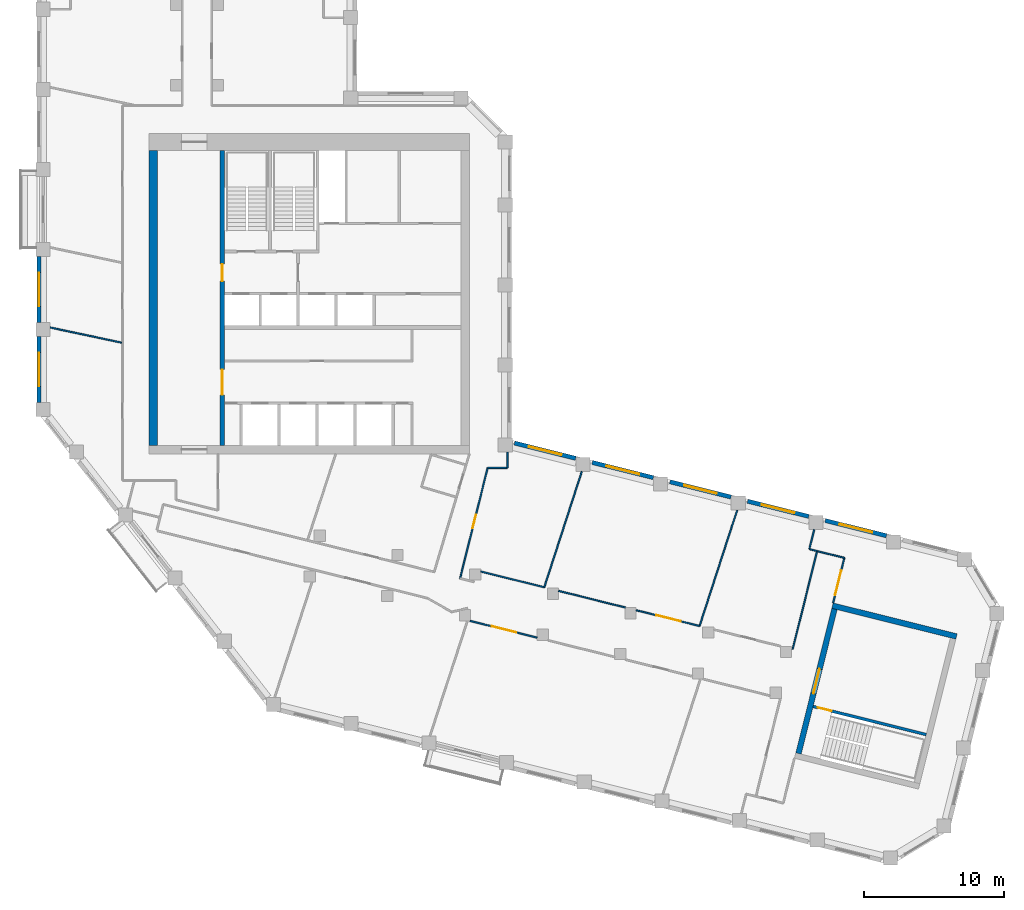
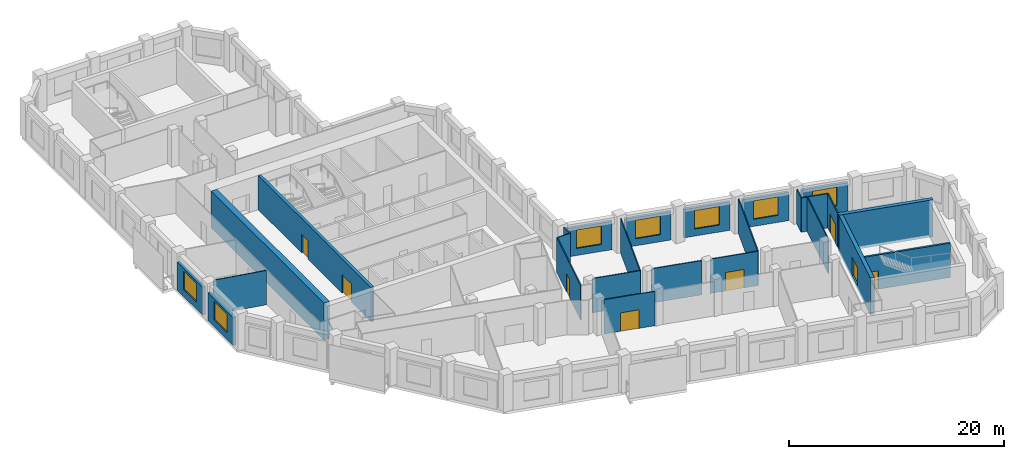
# One storey, part 4 of 9: 27 walls, 8 doors, 7 windows, 15 openings.
"""IFC4 building model written with IfcOpenShell, lengths in metres."""

from ifc_helpers import new_model, si_unit, direction, frame, frame_2d, origin, place, context, subcontext, project, spatial, rectangle, extrude, material, layer, layer_set, type_object, element, fill, save


model = new_model("IFC4")

# Units and contexts
model_context = context("Model", 3, precision=1e-05, world=origin(), true_north=direction((0.0, 1.0)))
body_context = subcontext(model_context, "Body", "Model", "MODEL_VIEW")
ifc_project = project(units=[si_unit("LENGTHUNIT", "METRE"), si_unit("AREAUNIT", "SQUARE_METRE"), si_unit("VOLUMEUNIT", "CUBIC_METRE"), si_unit("PLANEANGLEUNIT", "RADIAN"), si_unit("MASSUNIT", "GRAM", prefix="KILO")], contexts=[model_context])

# Site, building, storey
site_placement = place(None, origin())
site = spatial("IfcSite", under=ifc_project, at=site_placement, CompositionType="ELEMENT")
building_placement = place(site_placement, origin())
building = spatial("IfcBuilding", under=site, at=building_placement, Name="Meshkara Civic Tower", CompositionType="ELEMENT")
storey_placement = place(building_placement, frame((0.0, 0.0, 331.800048828125)))
storey = spatial("IfcBuildingStorey", under=building, at=storey_placement, Name="L76", CompositionType="ELEMENT", Elevation=331.800048828125)

# Wall
ifc_material_1 = material(Name="Concrete C60", Category="concrete")
ifc_layer_1 = layer(ifc_material_1, 0.60009765625)
ifc_layer_set_1 = layer_set([ifc_layer_1], Name="Core ring wall 600 C60")
wall_type_1 = type_object("IfcWallType", Name="Core ring wall 600 C60", PredefinedType="SHEAR", material=ifc_layer_set_1)
wall_1_placement = place(storey_placement, frame((8.300048828125, 14.699951171875, -0.300048828125), z_axis=(0.0, 0.0, 1.0), x_axis=(0.0, 1.0, 0.0)))
element("IfcWall", 1, at=wall_1_placement, inside=storey, type_object=wall_type_1, Name="L76-C003", PredefinedType="SHEAR", context=body_context, shape_type="SweptSolid", body=[
    extrude(rectangle(XDim=21.0, YDim=0.60009765625, at=frame_2d((10.5, 0.0))), origin(), (0.0, 0.0, 1.0), 4.199951171875),
])

# Wall, openings, doors
ifc_material_2 = material(Name="Concrete C60", Category="concrete")
ifc_layer_2 = layer(ifc_material_2, 0.300048828125)
ifc_layer_set_2 = layer_set([ifc_layer_2], Name="Core shear wall 300 C60")
wall_type_2 = type_object("IfcWallType", Name="Core shear wall 300 C60", PredefinedType="SHEAR", material=ifc_layer_set_2)
wall_2_placement = place(storey_placement, frame((13.199951171875, 14.699951171875, 0.0), z_axis=(0.0, 0.0, 1.0), x_axis=(0.0, 1.0, 0.0)))
wall_2 = element("IfcWall", 2, at=wall_2_placement, inside=storey, type_object=wall_type_2, Name="L76-C011", PredefinedType="SHEAR", context=body_context, shape_type="SweptSolid", body=[
    extrude(rectangle(XDim=21.0, YDim=0.300048828125, at=frame_2d((10.5, 0.0))), origin(), (0.0, 0.0, 1.0), 3.89990234375),
])
opening_1_placement = place(wall_2_placement, frame((3.60009765625, 0.0, 0.0)))
opening_1 = element("IfcOpeningElement", 3, at=opening_1_placement, cuts=wall_2, Name="Opening L76-K018", PredefinedType="OPENING", context=body_context, shape_type="SweptSolid", body=[
    extrude(rectangle(XDim=1.800048828125, YDim=2.10009765625, at=frame_2d((0.89990234375, 1.050048828125))), frame((0.0, 0.159912109375, 0.0), z_axis=(0.0, -1.0, 0.0), x_axis=(1.0, 0.0, 0.0)), (0.0, 0.0, 1.0), 0.320068359375),
])
opening_2_placement = place(wall_2_placement, frame((11.699951171875, 0.0, 0.0)))
opening_2 = element("IfcOpeningElement", 4, at=opening_2_placement, cuts=wall_2, Name="Opening L76-K019", PredefinedType="OPENING", context=body_context, shape_type="SweptSolid", body=[
    extrude(rectangle(XDim=1.199951171875, YDim=2.10009765625, at=frame_2d((0.60009765625, 1.050048828125))), frame((0.0, 0.159912109375, 0.0), z_axis=(0.0, -1.0, 0.0), x_axis=(1.0, 0.0, 0.0)), (0.0, 0.0, 1.0), 0.320068359375),
])
ifc_material_3 = material(Name="Fire-rated door leaf in steel frame", Category="steel")
door_type_1 = type_object("IfcDoorType", Name="Core double door 1800 EI 60", OperationType="DOUBLE_DOOR_SINGLE_SWING", PredefinedType="DOOR", material=ifc_material_3)
door_1_placement = place(opening_1_placement, origin())
door_1 = element("IfcDoor", 5, at=door_1_placement, inside=storey, type_object=door_type_1, Name="L76-K018", OperationType="DOUBLE_DOOR_SINGLE_SWING", OverallHeight=2.10009765625, OverallWidth=1.800048828125, PredefinedType="DOOR", context=body_context, shape_type="SweptSolid", body=[
    extrude(rectangle(XDim=1.800048828125, YDim=2.10009765625, at=frame_2d((0.89990234375, 1.050048828125))), frame((0.0, 0.02490234375, 0.0), z_axis=(0.0, -1.0, 0.0), x_axis=(1.0, 0.0, 0.0)), (0.0, 0.0, 1.0), 0.050048828125),
])
fill(opening_1, door_1)
ifc_material_4 = material(Name="Fire-rated door leaf in steel frame", Category="steel")
door_type_2 = type_object("IfcDoorType", Name="Fire-fighting lobby door 1200 EI 120", OperationType="SINGLE_SWING_LEFT", PredefinedType="DOOR", material=ifc_material_4)
door_2_placement = place(opening_2_placement, origin())
door_2 = element("IfcDoor", 6, at=door_2_placement, inside=storey, type_object=door_type_2, Name="L76-K019", OperationType="SINGLE_SWING_LEFT", OverallHeight=2.10009765625, OverallWidth=1.199951171875, PredefinedType="DOOR", context=body_context, shape_type="SweptSolid", body=[
    extrude(rectangle(XDim=1.199951171875, YDim=2.10009765625, at=frame_2d((0.60009765625, 1.050048828125))), frame((0.0, 0.02490234375, 0.0), z_axis=(0.0, -1.0, 0.0), x_axis=(1.0, 0.0, 0.0)), (0.0, 0.0, 1.0), 0.050048828125),
])
fill(opening_2, door_2)

# Wall, opening, door
ifc_material_5 = material(Name="Corridor wall 100")
ifc_layer_3 = layer(ifc_material_5, 0.10009765625)
ifc_layer_set_3 = layer_set([ifc_layer_3], Name="Corridor wall 100")
wall_type_3 = type_object("IfcWallType", Name="Corridor wall 100", PredefinedType="PARTITIONING", material=ifc_layer_set_3)
wall_3_placement = place(storey_placement, frame((30.134033203125, 5.22998046875, 0.0), z_axis=(0.0, 0.0, 1.0), x_axis=(0.24199734369, 0.970276911839, 0.0)))
wall_3 = element("IfcWall", 7, at=wall_3_placement, inside=storey, type_object=wall_type_3, Name="L76-W021", PredefinedType="PARTITIONING", context=body_context, shape_type="SweptSolid", body=[
    extrude(rectangle(XDim=8.111328125, YDim=0.10009765625, at=frame_2d((4.0556640625, 0.0))), origin(), (0.0, 0.0, 1.0), 3.89990234375),
])
opening_3_placement = place(wall_3_placement, frame((3.679931640625, 0.0, 0.0)))
opening_3 = element("IfcOpeningElement", 8, at=opening_3_placement, cuts=wall_3, Name="Opening L76-D011", PredefinedType="OPENING", context=body_context, shape_type="SweptSolid", body=[
    extrude(rectangle(XDim=1.0, YDim=2.10009765625, at=frame_2d((0.5, 1.050048828125))), frame((0.0, 0.06005859375, 0.0), z_axis=(0.0, -1.0, 0.0), x_axis=(1.0, 0.0, 0.0)), (0.0, 0.0, 1.0), 0.1201171875),
])
ifc_material_6 = material(Name="Door 1000 x 2100")
door_type_3 = type_object("IfcDoorType", Name="Door 1000 x 2100", OperationType="SINGLE_SWING_LEFT", PredefinedType="DOOR", material=ifc_material_6)
door_3_placement = place(opening_3_placement, origin())
door_3 = element("IfcDoor", 9, at=door_3_placement, inside=storey, type_object=door_type_3, Name="L76-D011", OperationType="SINGLE_SWING_LEFT", OverallHeight=2.10009765625, OverallWidth=1.0, PredefinedType="DOOR", context=body_context, shape_type="SweptSolid", body=[
    extrude(rectangle(XDim=1.0, YDim=2.10009765625, at=frame_2d((0.5, 1.050048828125))), frame((0.0, 0.02490234375, 0.0), z_axis=(0.0, -1.0, 0.0), x_axis=(1.0, 0.0, 0.0)), (0.0, 0.0, 1.0), 0.050048828125),
])
fill(opening_3, door_3)

wall_4_placement = place(storey_placement, frame((30.84912109375, 2.201904296875, 0.0), z_axis=(0.0, 0.0, 1.0), x_axis=(0.970320559999, -0.241822271189, 0.0)))
wall_4 = element("IfcWall", 10, at=wall_4_placement, inside=storey, type_object=wall_type_3, Name="L76-W023", PredefinedType="PARTITIONING", context=body_context, shape_type="SweptSolid", body=[
    extrude(rectangle(XDim=4.91259765625, YDim=0.10009765625, at=frame_2d((2.456298828125, 0.0))), origin(), (0.0, 0.0, 1.0), 3.89990234375),
])
opening_4_placement = place(wall_4_placement, frame((1.580078125, 0.0, 0.0)))
opening_4 = element("IfcOpeningElement", 11, at=opening_4_placement, cuts=wall_4, Name="Opening L76-D005", PredefinedType="OPENING", context=body_context, shape_type="SweptSolid", body=[
    extrude(rectangle(XDim=1.800048828125, YDim=2.10009765625, at=frame_2d((0.89990234375, 1.050048828125))), frame((0.0, 0.06005859375, 0.0), z_axis=(0.0, -1.0, 0.0), x_axis=(1.0, 0.0, 0.0)), (0.0, 0.0, 1.0), 0.1201171875),
])
ifc_material_7 = material(Name="Door pair 1800 x 2100")
door_type_4 = type_object("IfcDoorType", Name="Door pair 1800 x 2100", OperationType="SINGLE_SWING_LEFT", PredefinedType="DOOR", material=ifc_material_7)
door_4_placement = place(opening_4_placement, origin())
door_4 = element("IfcDoor", 12, at=door_4_placement, inside=storey, type_object=door_type_4, Name="L76-D005", OperationType="DOUBLE_DOOR_SINGLE_SWING", OverallHeight=2.10009765625, OverallWidth=1.800048828125, PredefinedType="DOOR", context=body_context, shape_type="SweptSolid", body=[
    extrude(rectangle(XDim=1.800048828125, YDim=2.10009765625, at=frame_2d((0.89990234375, 1.050048828125))), frame((0.0, 0.02490234375, 0.0), z_axis=(0.0, -1.0, 0.0), x_axis=(1.0, 0.0, 0.0)), (0.0, 0.0, 1.0), 0.050048828125),
])
fill(opening_4, door_4)

# Walls
wall_5_placement = place(storey_placement, frame((32.096923828125, 13.10009765625, 0.0), z_axis=(0.0, 0.0, 1.0), x_axis=(1.0, 0.0, 0.0)))
element("IfcWall", 13, at=wall_5_placement, inside=storey, type_object=wall_type_3, Name="L76-W026", PredefinedType="PARTITIONING", context=body_context, shape_type="SweptSolid", body=[
    extrude(rectangle(XDim=1.403076171875, YDim=0.10009765625, at=frame_2d((0.70166015625, 0.0))), origin(), (0.0, 0.0, 1.0), 3.89990234375),
])
wall_6_placement = place(storey_placement, frame((33.5, 13.10009765625, 0.0), z_axis=(0.0, 0.0, 1.0), x_axis=(0.0, 1.0, 0.0)))
element("IfcWall", 14, at=wall_6_placement, inside=storey, type_object=wall_type_3, Name="L76-W027", PredefinedType="PARTITIONING", context=body_context, shape_type="SweptSolid", body=[
    extrude(rectangle(XDim=1.118896484375, YDim=0.10009765625, at=frame_2d((0.5595703125, 0.0))), origin(), (0.0, 0.0, 1.0), 3.89990234375),
])
wall_7_placement = place(storey_placement, frame((36.1240234375, 4.596923828125, 0.0), z_axis=(0.0, 0.0, 1.0), x_axis=(-0.970305929364, 0.241880969571, 0.0)))
element("IfcWall", 15, at=wall_7_placement, inside=storey, type_object=wall_type_3, Name="L76-W028", PredefinedType="PARTITIONING", context=body_context, shape_type="SweptSolid", body=[
    extrude(rectangle(XDim=4.651123046875, YDim=0.10009765625, at=frame_2d((2.32568359375, 0.0))), origin(), (0.0, 0.0, 1.0), 3.89990234375),
])
wall_8_placement = place(storey_placement, frame((41.907958984375, 3.155029296875, 0.0), z_axis=(0.0, 0.0, 1.0), x_axis=(-0.970308932068, 0.2418689239, 0.0)))
element("IfcWall", 16, at=wall_8_placement, inside=storey, type_object=wall_type_3, Name="L76-W031", PredefinedType="PARTITIONING", context=body_context, shape_type="SweptSolid", body=[
    extrude(rectangle(XDim=4.91162109375, YDim=0.10009765625, at=frame_2d((2.455810546875, 0.0))), origin(), (0.0, 0.0, 1.0), 3.89990234375),
])

# Wall, opening, door
wall_9_placement = place(storey_placement, frame((47.18603515625, 1.839111328125, 0.0), z_axis=(0.0, 0.0, 1.0), x_axis=(-0.970318209974, 0.241831700555, 0.0)))
wall_9 = element("IfcWall", 17, at=wall_9_placement, inside=storey, type_object=wall_type_3, Name="L76-W032", PredefinedType="PARTITIONING", context=body_context, shape_type="SweptSolid", body=[
    extrude(rectangle(XDim=4.652099609375, YDim=0.10009765625, at=frame_2d((2.326171875, 0.0))), origin(), (0.0, 0.0, 1.0), 3.89990234375),
])
opening_5_placement = place(wall_9_placement, frame((1.3798828125, 0.0, 0.0)))
opening_5 = element("IfcOpeningElement", 18, at=opening_5_placement, cuts=wall_9, Name="Opening L76-D006", PredefinedType="OPENING", context=body_context, shape_type="SweptSolid", body=[
    extrude(rectangle(XDim=1.800048828125, YDim=2.10009765625, at=frame_2d((0.89990234375, 1.050048828125))), frame((0.0, 0.06005859375, 0.0), z_axis=(0.0, -1.0, 0.0), x_axis=(1.0, 0.0, 0.0)), (0.0, 0.0, 1.0), 0.1201171875),
])
door_5_placement = place(opening_5_placement, origin())
door_5 = element("IfcDoor", 19, at=door_5_placement, inside=storey, type_object=door_type_4, Name="L76-D006", OperationType="DOUBLE_DOOR_SINGLE_SWING", OverallHeight=2.10009765625, OverallWidth=1.800048828125, PredefinedType="DOOR", context=body_context, shape_type="SweptSolid", body=[
    extrude(rectangle(XDim=1.800048828125, YDim=2.10009765625, at=frame_2d((0.89990234375, 1.050048828125))), frame((0.0, 0.02490234375, 0.0), z_axis=(0.0, -1.0, 0.0), x_axis=(1.0, 0.0, 0.0)), (0.0, 0.0, 1.0), 0.050048828125),
])
fill(opening_5, door_5)

# Wall
wall_10_placement = place(storey_placement, frame((55.555908203125, 7.173095703125, 0.0), z_axis=(0.0, 0.0, 1.0), x_axis=(-0.241937193493, -0.970291911955, 0.0)))
element("IfcWall", 20, at=wall_10_placement, inside=storey, type_object=wall_type_3, Name="L76-W038", PredefinedType="PARTITIONING", context=body_context, shape_type="SweptSolid", body=[
    extrude(rectangle(XDim=7.199951171875, YDim=0.10009765625, at=frame_2d((3.60009765625, 0.0))), origin(), (0.0, 0.0, 1.0), 3.89990234375),
])

# Wall, opening, door
wall_11_placement = place(storey_placement, frame((56.697998046875, 3.487060546875, 0.0), z_axis=(0.0, 0.0, 1.0), x_axis=(0.241856645367, 0.970311992656, 0.0)))
wall_11 = element("IfcWall", 21, at=wall_11_placement, inside=storey, type_object=wall_type_3, Name="L76-W039", PredefinedType="PARTITIONING", context=body_context, shape_type="SweptSolid", body=[
    extrude(rectangle(XDim=3.2998046875, YDim=0.10009765625, at=frame_2d((1.64990234375, 0.0))), origin(), (0.0, 0.0, 1.0), 3.89990234375),
])
opening_6_placement = place(wall_11_placement, frame((0.580078125, 0.0, 0.0)))
opening_6 = element("IfcOpeningElement", 22, at=opening_6_placement, cuts=wall_11, Name="Opening L76-D008", PredefinedType="OPENING", context=body_context, shape_type="SweptSolid", body=[
    extrude(rectangle(XDim=1.800048828125, YDim=2.10009765625, at=frame_2d((0.89990234375, 1.050048828125))), frame((0.0, 0.06005859375, 0.0), z_axis=(0.0, -1.0, 0.0), x_axis=(1.0, 0.0, 0.0)), (0.0, 0.0, 1.0), 0.1201171875),
])
door_6_placement = place(opening_6_placement, origin())
door_6 = element("IfcDoor", 23, at=door_6_placement, inside=storey, type_object=door_type_4, Name="L76-D008", OperationType="DOUBLE_DOOR_SINGLE_SWING", OverallHeight=2.10009765625, OverallWidth=1.800048828125, PredefinedType="DOOR", context=body_context, shape_type="SweptSolid", body=[
    extrude(rectangle(XDim=1.800048828125, YDim=2.10009765625, at=frame_2d((0.89990234375, 1.050048828125))), frame((0.0, 0.02490234375, 0.0), z_axis=(0.0, -1.0, 0.0), x_axis=(1.0, 0.0, 0.0)), (0.0, 0.0, 1.0), 0.050048828125),
])
fill(opening_6, door_6)

# Wall
wall_12_placement = place(storey_placement, frame((57.49609375, 6.68896484375, 0.0), z_axis=(0.0, 0.0, 1.0), x_axis=(-0.970250131019, 0.242104694829, 0.0)))
element("IfcWall", 24, at=wall_12_placement, inside=storey, type_object=wall_type_3, Name="L76-W040", PredefinedType="PARTITIONING", context=body_context, shape_type="SweptSolid", body=[
    extrude(rectangle(XDim=1.999755859375, YDim=0.10009765625, at=frame_2d((1.0, 0.0))), origin(), (0.0, 0.0, 1.0), 3.89990234375),
])

# Wall, opening, window
ifc_material_8 = material(Name="Insulated infill panel with bronze anodised aluminium cladding", Category="aluminium")
ifc_layer_4 = layer(ifc_material_8, 0.300048828125)
ifc_layer_set_4 = layer_set([ifc_layer_4], Name="EXTERNAL INFILL WALL 300")
wall_type_4 = type_object("IfcWallType", Name="EXTERNAL INFILL WALL 300", PredefinedType="SOLIDWALL", material=ifc_layer_set_4)
wall_13_placement = place(storey_placement, frame((60.488037109375, 8.261962890625, 0.0), z_axis=(0.0, 0.0, 1.0), x_axis=(-0.970276766004, 0.241997928406, 0.0)))
wall_13 = element("IfcWall", 25, at=wall_13_placement, inside=storey, type_object=wall_type_4, Name="External wall", PredefinedType="SOLIDWALL", context=body_context, shape_type="SweptSolid", body=[
    extrude(rectangle(XDim=4.4873046875, YDim=0.300048828125, at=frame_2d((2.24365234375, 0.0))), origin(), (0.0, 0.0, 1.0), 3.199951171875),
])
opening_7_placement = place(wall_13_placement, frame((1.0439453125, 0.0, 0.800048828125)))
opening_7 = element("IfcOpeningElement", 26, at=opening_7_placement, cuts=wall_13, Name="Opening W7", PredefinedType="OPENING", context=body_context, shape_type="SweptSolid", body=[
    extrude(rectangle(XDim=2.39990234375, YDim=2.10009765625, at=frame_2d((1.199951171875, 1.050048828125))), frame((0.0, 0.159912109375, 0.0), z_axis=(0.0, -1.0, 0.0), x_axis=(1.0, 0.0, 0.0)), (0.0, 0.0, 1.0), 0.320068359375),
])
ifc_material_9 = material(Name="Tinted double glazing", Category="glass")
window_type = type_object("IfcWindowType", Name="WINDOW 2400x2100", PartitioningType="DOUBLE_PANEL_VERTICAL", PredefinedType="WINDOW", material=ifc_material_9)
window_1_placement = place(opening_7_placement, origin())
window_1 = element("IfcWindow", 27, at=window_1_placement, inside=storey, type_object=window_type, Name="Window", OverallHeight=2.10009765625, OverallWidth=2.39990234375, PartitioningType="DOUBLE_PANEL_VERTICAL", PredefinedType="WINDOW", context=body_context, shape_type="SweptSolid", body=[
    extrude(rectangle(XDim=2.39990234375, YDim=2.10009765625, at=frame_2d((1.199951171875, 1.050048828125))), frame((0.0, 0.030029296875, 0.0), z_axis=(0.0, -1.0, 0.0), x_axis=(1.0, 0.0, 0.0)), (0.0, 0.0, 1.0), 0.06005859375),
])
fill(opening_7, window_1)

wall_14_placement = place(storey_placement, frame((54.9580078125, 9.64111328125, 0.0), z_axis=(0.0, 0.0, 1.0), x_axis=(-0.970289506684, 0.241946839653, 0.0)))
wall_14 = element("IfcWall", 28, at=wall_14_placement, inside=storey, type_object=wall_type_4, Name="External wall", PredefinedType="SOLIDWALL", context=body_context, shape_type="SweptSolid", body=[
    extrude(rectangle(XDim=4.48828125, YDim=0.300048828125, at=frame_2d((2.244140625, 0.0))), origin(), (0.0, 0.0, 1.0), 3.199951171875),
])
opening_8_placement = place(wall_14_placement, frame((1.0439453125, 0.0, 0.800048828125)))
opening_8 = element("IfcOpeningElement", 29, at=opening_8_placement, cuts=wall_14, Name="Opening W7", PredefinedType="OPENING", context=body_context, shape_type="SweptSolid", body=[
    extrude(rectangle(XDim=2.39990234375, YDim=2.10009765625, at=frame_2d((1.199951171875, 1.050048828125))), frame((0.0, 0.159912109375, 0.0), z_axis=(0.0, -1.0, 0.0), x_axis=(1.0, 0.0, 0.0)), (0.0, 0.0, 1.0), 0.320068359375),
])
window_2_placement = place(opening_8_placement, origin())
window_2 = element("IfcWindow", 30, at=window_2_placement, inside=storey, type_object=window_type, Name="Window", OverallHeight=2.10009765625, OverallWidth=2.39990234375, PartitioningType="DOUBLE_PANEL_VERTICAL", PredefinedType="WINDOW", context=body_context, shape_type="SweptSolid", body=[
    extrude(rectangle(XDim=2.39990234375, YDim=2.10009765625, at=frame_2d((1.199951171875, 1.050048828125))), frame((0.0, 0.030029296875, 0.0), z_axis=(0.0, -1.0, 0.0), x_axis=(1.0, 0.0, 0.0)), (0.0, 0.0, 1.0), 0.06005859375),
])
fill(opening_8, window_2)

wall_15_placement = place(storey_placement, frame((49.427001953125, 11.02001953125, 0.0), z_axis=(0.0, 0.0, 1.0), x_axis=(-0.970289506684, 0.241946839653, 0.0)))
wall_15 = element("IfcWall", 31, at=wall_15_placement, inside=storey, type_object=wall_type_4, Name="External wall", PredefinedType="SOLIDWALL", context=body_context, shape_type="SweptSolid", body=[
    extrude(rectangle(XDim=4.48828125, YDim=0.300048828125, at=frame_2d((2.244140625, 0.0))), origin(), (0.0, 0.0, 1.0), 3.199951171875),
])
opening_9_placement = place(wall_15_placement, frame((1.0439453125, 0.0, 0.800048828125)))
opening_9 = element("IfcOpeningElement", 32, at=opening_9_placement, cuts=wall_15, Name="Opening W7", PredefinedType="OPENING", context=body_context, shape_type="SweptSolid", body=[
    extrude(rectangle(XDim=2.39990234375, YDim=2.10009765625, at=frame_2d((1.199951171875, 1.050048828125))), frame((0.0, 0.159912109375, 0.0), z_axis=(0.0, -1.0, 0.0), x_axis=(1.0, 0.0, 0.0)), (0.0, 0.0, 1.0), 0.320068359375),
])
window_3_placement = place(opening_9_placement, origin())
window_3 = element("IfcWindow", 33, at=window_3_placement, inside=storey, type_object=window_type, Name="Window", OverallHeight=2.10009765625, OverallWidth=2.39990234375, PartitioningType="DOUBLE_PANEL_VERTICAL", PredefinedType="WINDOW", context=body_context, shape_type="SweptSolid", body=[
    extrude(rectangle(XDim=2.39990234375, YDim=2.10009765625, at=frame_2d((1.199951171875, 1.050048828125))), frame((0.0, 0.030029296875, 0.0), z_axis=(0.0, -1.0, 0.0), x_axis=(1.0, 0.0, 0.0)), (0.0, 0.0, 1.0), 0.06005859375),
])
fill(opening_9, window_3)

wall_16_placement = place(storey_placement, frame((43.89599609375, 12.39892578125, 0.0), z_axis=(0.0, 0.0, 1.0), x_axis=(-0.970263990019, 0.242049147224, 0.0)))
wall_16 = element("IfcWall", 34, at=wall_16_placement, inside=storey, type_object=wall_type_4, Name="External wall", PredefinedType="SOLIDWALL", context=body_context, shape_type="SweptSolid", body=[
    extrude(rectangle(XDim=4.487548828125, YDim=0.300048828125, at=frame_2d((2.24365234375, 0.0))), origin(), (0.0, 0.0, 1.0), 3.199951171875),
])
opening_10_placement = place(wall_16_placement, frame((1.0439453125, 0.0, 0.800048828125)))
opening_10 = element("IfcOpeningElement", 35, at=opening_10_placement, cuts=wall_16, Name="Opening W7", PredefinedType="OPENING", context=body_context, shape_type="SweptSolid", body=[
    extrude(rectangle(XDim=2.39990234375, YDim=2.10009765625, at=frame_2d((1.199951171875, 1.050048828125))), frame((0.0, 0.159912109375, 0.0), z_axis=(0.0, -1.0, 0.0), x_axis=(1.0, 0.0, 0.0)), (0.0, 0.0, 1.0), 0.320068359375),
])
window_4_placement = place(opening_10_placement, origin())
window_4 = element("IfcWindow", 36, at=window_4_placement, inside=storey, type_object=window_type, Name="Window", OverallHeight=2.10009765625, OverallWidth=2.39990234375, PartitioningType="DOUBLE_PANEL_VERTICAL", PredefinedType="WINDOW", context=body_context, shape_type="SweptSolid", body=[
    extrude(rectangle(XDim=2.39990234375, YDim=2.10009765625, at=frame_2d((1.199951171875, 1.050048828125))), frame((0.0, 0.030029296875, 0.0), z_axis=(0.0, -1.0, 0.0), x_axis=(1.0, 0.0, 0.0)), (0.0, 0.0, 1.0), 0.06005859375),
])
fill(opening_10, window_4)

wall_17_placement = place(storey_placement, frame((38.365966796875, 13.778076171875, 0.0), z_axis=(0.0, 0.0, 1.0), x_axis=(-0.970289506684, 0.241946839653, 0.0)))
wall_17 = element("IfcWall", 37, at=wall_17_placement, inside=storey, type_object=wall_type_4, Name="External wall", PredefinedType="SOLIDWALL", context=body_context, shape_type="SweptSolid", body=[
    extrude(rectangle(XDim=4.48828125, YDim=0.300048828125, at=frame_2d((2.244140625, 0.0))), origin(), (0.0, 0.0, 1.0), 3.199951171875),
])
opening_11_placement = place(wall_17_placement, frame((1.0439453125, 0.0, 0.800048828125)))
opening_11 = element("IfcOpeningElement", 38, at=opening_11_placement, cuts=wall_17, Name="Opening W7", PredefinedType="OPENING", context=body_context, shape_type="SweptSolid", body=[
    extrude(rectangle(XDim=2.39990234375, YDim=2.10009765625, at=frame_2d((1.199951171875, 1.050048828125))), frame((0.0, 0.159912109375, 0.0), z_axis=(0.0, -1.0, 0.0), x_axis=(1.0, 0.0, 0.0)), (0.0, 0.0, 1.0), 0.320068359375),
])
window_5_placement = place(opening_11_placement, origin())
window_5 = element("IfcWindow", 39, at=window_5_placement, inside=storey, type_object=window_type, Name="Window", OverallHeight=2.10009765625, OverallWidth=2.39990234375, PartitioningType="DOUBLE_PANEL_VERTICAL", PredefinedType="WINDOW", context=body_context, shape_type="SweptSolid", body=[
    extrude(rectangle(XDim=2.39990234375, YDim=2.10009765625, at=frame_2d((1.199951171875, 1.050048828125))), frame((0.0, 0.030029296875, 0.0), z_axis=(0.0, -1.0, 0.0), x_axis=(1.0, 0.0, 0.0)), (0.0, 0.0, 1.0), 0.06005859375),
])
fill(opening_11, window_5)

wall_18_placement = place(storey_placement, frame((0.14990234375, 28.155029296875, 0.0), z_axis=(0.0, 0.0, 1.0), x_axis=(0.0, -1.0, 0.0)))
wall_18 = element("IfcWall", 40, at=wall_18_placement, inside=storey, type_object=wall_type_4, Name="External wall", PredefinedType="SOLIDWALL", context=body_context, shape_type="SweptSolid", body=[
    extrude(rectangle(XDim=4.699951171875, YDim=0.300048828125, at=frame_2d((2.35009765625, 0.0))), origin(), (0.0, 0.0, 1.0), 3.199951171875),
])
opening_12_placement = place(wall_18_placement, frame((1.14990234375, 0.0, 0.800048828125)))
opening_12 = element("IfcOpeningElement", 41, at=opening_12_placement, cuts=wall_18, Name="Opening W7", PredefinedType="OPENING", context=body_context, shape_type="SweptSolid", body=[
    extrude(rectangle(XDim=2.39990234375, YDim=2.10009765625, at=frame_2d((1.199951171875, 1.050048828125))), frame((0.0, 0.159912109375, 0.0), z_axis=(0.0, -1.0, 0.0), x_axis=(1.0, 0.0, 0.0)), (0.0, 0.0, 1.0), 0.320068359375),
])
window_6_placement = place(opening_12_placement, origin())
window_6 = element("IfcWindow", 42, at=window_6_placement, inside=storey, type_object=window_type, Name="Window", OverallHeight=2.10009765625, OverallWidth=2.39990234375, PartitioningType="DOUBLE_PANEL_VERTICAL", PredefinedType="WINDOW", context=body_context, shape_type="SweptSolid", body=[
    extrude(rectangle(XDim=2.39990234375, YDim=2.10009765625, at=frame_2d((1.199951171875, 1.050048828125))), frame((0.0, 0.030029296875, 0.0), z_axis=(0.0, -1.0, 0.0), x_axis=(1.0, 0.0, 0.0)), (0.0, 0.0, 1.0), 0.06005859375),
])
fill(opening_12, window_6)

wall_19_placement = place(storey_placement, frame((0.14990234375, 22.455078125, 0.0), z_axis=(0.0, 0.0, 1.0), x_axis=(0.0, -1.0, 0.0)))
wall_19 = element("IfcWall", 43, at=wall_19_placement, inside=storey, type_object=wall_type_4, Name="External wall", PredefinedType="SOLIDWALL", context=body_context, shape_type="SweptSolid", body=[
    extrude(rectangle(XDim=4.7001953125, YDim=0.300048828125, at=frame_2d((2.35009765625, 0.0))), origin(), (0.0, 0.0, 1.0), 3.199951171875),
])
opening_13_placement = place(wall_19_placement, frame((1.14990234375, 0.0, 0.800048828125)))
opening_13 = element("IfcOpeningElement", 44, at=opening_13_placement, cuts=wall_19, Name="Opening W7", PredefinedType="OPENING", context=body_context, shape_type="SweptSolid", body=[
    extrude(rectangle(XDim=2.39990234375, YDim=2.10009765625, at=frame_2d((1.199951171875, 1.050048828125))), frame((0.0, 0.159912109375, 0.0), z_axis=(0.0, -1.0, 0.0), x_axis=(1.0, 0.0, 0.0)), (0.0, 0.0, 1.0), 0.320068359375),
])
window_7_placement = place(opening_13_placement, origin())
window_7 = element("IfcWindow", 45, at=window_7_placement, inside=storey, type_object=window_type, Name="Window", OverallHeight=2.10009765625, OverallWidth=2.39990234375, PartitioningType="DOUBLE_PANEL_VERTICAL", PredefinedType="WINDOW", context=body_context, shape_type="SweptSolid", body=[
    extrude(rectangle(XDim=2.39990234375, YDim=2.10009765625, at=frame_2d((1.199951171875, 1.050048828125))), frame((0.0, 0.030029296875, 0.0), z_axis=(0.0, -1.0, 0.0), x_axis=(1.0, 0.0, 0.0)), (0.0, 0.0, 1.0), 0.06005859375),
])
fill(opening_13, window_7)

# Wall
ifc_material_10 = material(Name="Concrete C60", Category="concrete")
ifc_layer_5 = layer(ifc_material_10, 0.39990234375)
ifc_layer_set_5 = layer_set([ifc_layer_5], Name="End core ring wall 400 C60")
wall_type_5 = type_object("IfcWallType", Name="End core ring wall 400 C60", PredefinedType="SHEAR", material=ifc_layer_set_5)
wall_20_placement = place(storey_placement, frame((56.64892578125, 3.29296875, -0.300048828125), z_axis=(0.0, 0.0, 1.0), x_axis=(0.970312696888, -0.241853820019, 0.0)))
element("IfcWall", 46, at=wall_20_placement, inside=storey, type_object=wall_type_5, Name="L76-C033", PredefinedType="SHEAR", context=body_context, shape_type="SweptSolid", body=[
    extrude(rectangle(XDim=9.100341796875, YDim=0.39990234375, at=frame_2d((4.55029296875, 0.0))), origin(), (0.0, 0.0, 1.0), 4.199951171875),
])

# Wall, opening, door
wall_21_placement = place(storey_placement, frame((54.23095703125, -7.23388671875, -0.300048828125), z_axis=(0.0, 0.0, 1.0), x_axis=(0.241890652548, 0.970303515509, 0.0)))
wall_21 = element("IfcWall", 47, at=wall_21_placement, inside=storey, type_object=wall_type_5, Name="L76-C034", PredefinedType="SHEAR", context=body_context, shape_type="SweptSolid", body=[
    extrude(rectangle(XDim=10.599609375, YDim=0.39990234375, at=frame_2d((5.2998046875, 0.0))), origin(), (0.0, 0.0, 1.0), 4.199951171875),
])
opening_14_placement = place(wall_21_placement, frame((4.39990234375, 0.0, 0.300048828125)))
opening_14 = element("IfcOpeningElement", 48, at=opening_14_placement, cuts=wall_21, Name="Opening L76-K202", PredefinedType="OPENING", context=body_context, shape_type="SweptSolid", body=[
    extrude(rectangle(XDim=1.800048828125, YDim=2.10009765625, at=frame_2d((0.89990234375, 1.050048828125))), frame((0.0, 0.2099609375, 0.0), z_axis=(0.0, -1.0, 0.0), x_axis=(1.0, 0.0, 0.0)), (0.0, 0.0, 1.0), 0.419921875),
])
door_7_placement = place(opening_14_placement, origin())
door_7 = element("IfcDoor", 49, at=door_7_placement, inside=storey, type_object=door_type_1, Name="L76-K202", OperationType="DOUBLE_DOOR_SINGLE_SWING", OverallHeight=2.10009765625, OverallWidth=1.800048828125, PredefinedType="DOOR", context=body_context, shape_type="SweptSolid", body=[
    extrude(rectangle(XDim=1.800048828125, YDim=2.10009765625, at=frame_2d((0.89990234375, 1.050048828125))), frame((0.0, 0.02490234375, 0.0), z_axis=(0.0, -1.0, 0.0), x_axis=(1.0, 0.0, 0.0)), (0.0, 0.0, 1.0), 0.050048828125),
])
fill(opening_14, door_7)

# Walls
ifc_material_11 = material(Name="Partition 100")
ifc_layer_6 = layer(ifc_material_11, 0.10009765625)
ifc_layer_set_6 = layer_set([ifc_layer_6], Name="Partition 100")
wall_type_6 = type_object("IfcWallType", Name="Partition 100", PredefinedType="PARTITIONING", material=ifc_layer_set_6)
wall_22_placement = place(storey_placement, frame((6.0400390625, 22.011962890625, 0.0), z_axis=(0.0, 0.0, 1.0), x_axis=(-0.978143705428, 0.207930015946, 0.0)))
element("IfcWall", 50, at=wall_22_placement, inside=storey, type_object=wall_type_6, Name="L76-W043", PredefinedType="PARTITIONING", context=body_context, shape_type="SweptSolid", body=[
    extrude(rectangle(XDim=5.203857421875, YDim=0.10009765625, at=frame_2d((2.60205078125, 0.0))), origin(), (0.0, 0.0, 1.0), 3.89990234375),
])
wall_23_placement = place(storey_placement, frame((36.1240234375, 4.596923828125, 0.0), z_axis=(0.0, 0.0, 1.0), x_axis=(0.308976518606, 0.951069666717, 0.0)))
element("IfcWall", 51, at=wall_23_placement, inside=storey, type_object=wall_type_6, Name="L76-W056", PredefinedType="PARTITIONING", context=body_context, shape_type="SweptSolid", body=[
    extrude(rectangle(XDim=8.667236328125, YDim=0.10009765625, at=frame_2d((4.33349609375, 0.0))), origin(), (0.0, 0.0, 1.0), 3.89990234375),
])
wall_24_placement = place(storey_placement, frame((47.18603515625, 1.839111328125, 0.0), z_axis=(0.0, 0.0, 1.0), x_axis=(0.30898479626, 0.951066977494, 0.0)))
element("IfcWall", 52, at=wall_24_placement, inside=storey, type_object=wall_type_6, Name="L76-W058", PredefinedType="PARTITIONING", context=body_context, shape_type="SweptSolid", body=[
    extrude(rectangle(XDim=8.6669921875, YDim=0.10009765625, at=frame_2d((4.33349609375, 0.0))), origin(), (0.0, 0.0, 1.0), 3.89990234375),
])
wall_25_placement = place(storey_placement, frame((55.0009765625, 7.31103515625, 0.0), z_axis=(0.0, 0.0, 1.0), x_axis=(0.24185476373, 0.970312461664, 0.0)))
element("IfcWall", 53, at=wall_25_placement, inside=storey, type_object=wall_type_6, Name="L76-W061", PredefinedType="PARTITIONING", context=body_context, shape_type="SweptSolid", body=[
    extrude(rectangle(XDim=1.434326171875, YDim=0.10009765625, at=frame_2d((0.71728515625, 0.0))), origin(), (0.0, 0.0, 1.0), 3.89990234375),
])
wall_26_placement = place(storey_placement, frame((55.56005859375, 7.172119140625, 0.0), z_axis=(0.0, 0.0, 1.0), x_axis=(-0.970490503334, 0.241139343405, 0.0)))
element("IfcWall", 54, at=wall_26_placement, inside=storey, type_object=wall_type_6, Name="L76-W062", PredefinedType="PARTITIONING", context=body_context, shape_type="SweptSolid", body=[
    extrude(rectangle(XDim=0.576171875, YDim=0.10009765625, at=frame_2d((0.2880859375, 0.0))), origin(), (0.0, 0.0, 1.0), 3.89990234375),
])

# Wall, opening, door
ifc_material_12 = material(Name="Concrete C40/50", Category="concrete")
ifc_layer_7 = layer(ifc_material_12, 0.199951171875)
ifc_layer_set_7 = layer_set([ifc_layer_7], Name="Stair enclosure wall 200 C40/50")
wall_type_7 = type_object("IfcWallType", Name="Stair enclosure wall 200 C40/50", PredefinedType="SOLIDWALL", material=ifc_layer_set_7)
wall_27_placement = place(storey_placement, frame((55.27099609375, -3.886962890625, 0.0), z_axis=(0.0, 0.0, 1.0), x_axis=(0.970296288869, -0.241919639151, 0.0)))
wall_27 = element("IfcWall", 55, at=wall_27_placement, inside=storey, type_object=wall_type_7, Name="L76-C036", PredefinedType="SOLIDWALL", context=body_context, shape_type="SweptSolid", body=[
    extrude(rectangle(XDim=8.300537109375, YDim=0.199951171875, at=frame_2d((4.150390625, 0.0))), origin(), (0.0, 0.0, 1.0), 3.89990234375),
])
opening_15_placement = place(wall_27_placement, frame((0.35009765625, 0.0, 0.0)))
opening_15 = element("IfcOpeningElement", 56, at=opening_15_placement, cuts=wall_27, Name="Opening L76-K201", PredefinedType="OPENING", context=body_context, shape_type="SweptSolid", body=[
    extrude(rectangle(XDim=1.0, YDim=2.10009765625, at=frame_2d((0.5, 1.050048828125))), frame((0.0, 0.10986328125, 0.0), z_axis=(0.0, -1.0, 0.0), x_axis=(1.0, 0.0, 0.0)), (0.0, 0.0, 1.0), 0.219970703125),
])
ifc_material_13 = material(Name="Fire-rated door leaf in steel frame", Category="steel")
door_type_5 = type_object("IfcDoorType", Name="Stair door 1000 EI 120", OperationType="SINGLE_SWING_LEFT", PredefinedType="DOOR", material=ifc_material_13)
door_8_placement = place(opening_15_placement, origin())
door_8 = element("IfcDoor", 57, at=door_8_placement, inside=storey, type_object=door_type_5, Name="L76-K201", OperationType="SINGLE_SWING_LEFT", OverallHeight=2.10009765625, OverallWidth=1.0, PredefinedType="DOOR", context=body_context, shape_type="SweptSolid", body=[
    extrude(rectangle(XDim=1.0, YDim=2.10009765625, at=frame_2d((0.5, 1.050048828125))), frame((0.0, 0.02490234375, 0.0), z_axis=(0.0, -1.0, 0.0), x_axis=(1.0, 0.0, 0.0)), (0.0, 0.0, 1.0), 0.050048828125),
])
fill(opening_15, door_8)

save(model, "model.ifc")
